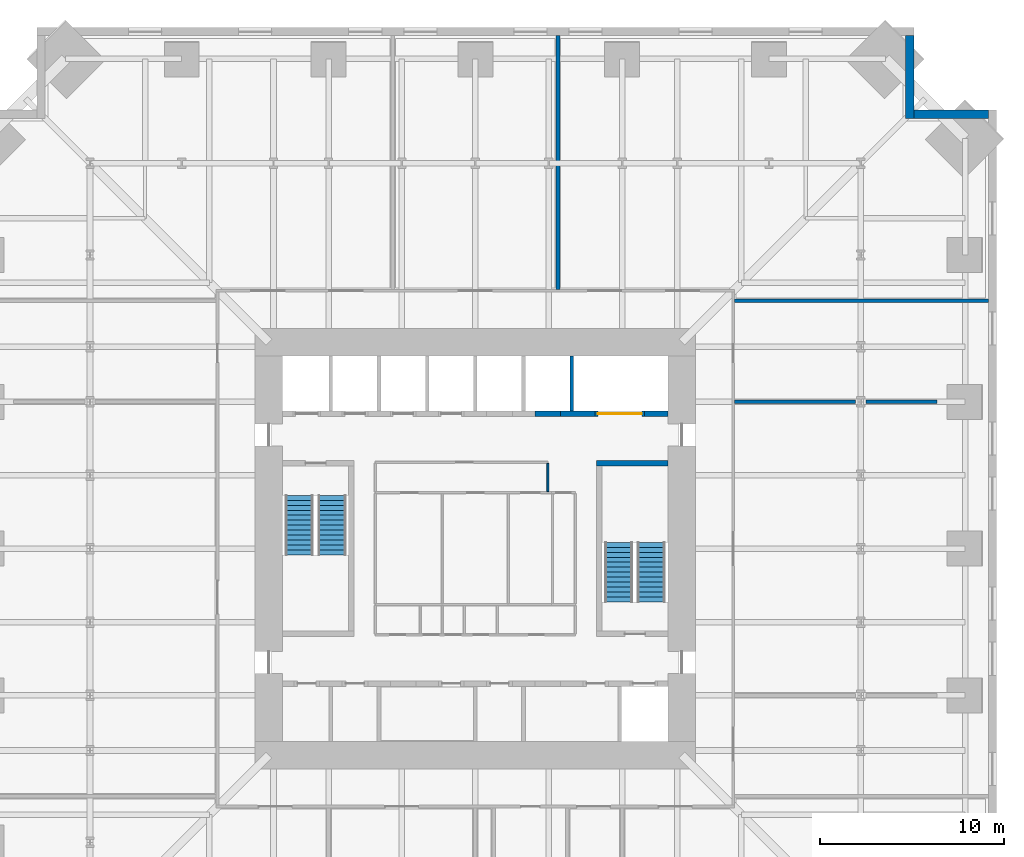
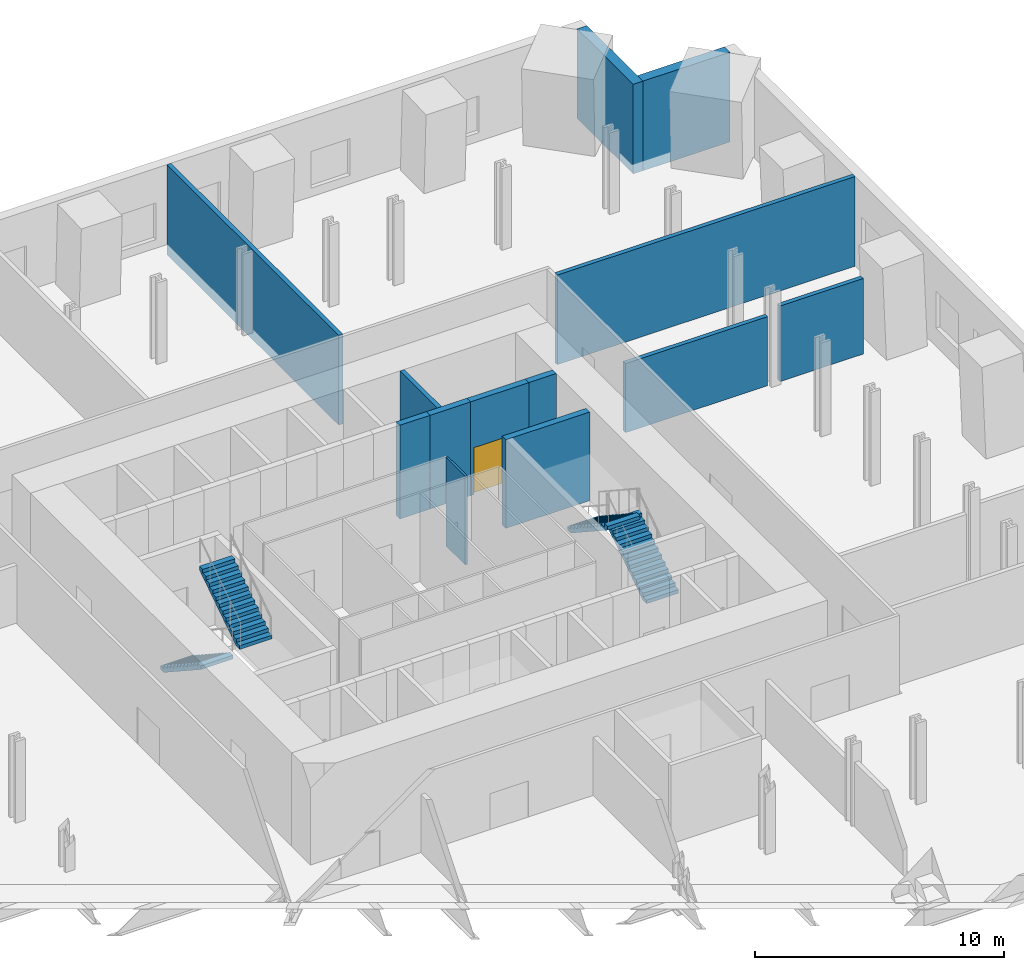
# One storey, part 7 of 8: 13 walls, 4 stair flights, 1 door, 1 opening, 2 elements without a shape of their own.
"""IFC4 building model written with IfcOpenShell, lengths in metres."""

from ifc_helpers import new_model, si_unit, direction, frame, frame_2d, origin, place, context, subcontext, project, spatial, polyline, rectangle, outline, extrude, material, layer, layer_set, type_object, element, fill, aggregate, save


model = new_model("IFC4")

# Units and contexts
model_context = context("Model", 3, precision=1e-05, world=origin(), true_north=direction((0.0, 1.0)))
body_context = subcontext(model_context, "Body", "Model", "MODEL_VIEW")
ifc_project = project(units=[si_unit("LENGTHUNIT", "METRE"), si_unit("AREAUNIT", "SQUARE_METRE"), si_unit("VOLUMEUNIT", "CUBIC_METRE"), si_unit("PLANEANGLEUNIT", "RADIAN"), si_unit("MASSUNIT", "GRAM", prefix="KILO")], contexts=[model_context])

# Site, building, storey
site_placement = place(None, origin())
site = spatial("IfcSite", under=ifc_project, at=site_placement, CompositionType="ELEMENT")
building_placement = place(site_placement, origin())
building = spatial("IfcBuilding", under=site, at=building_placement, Name="Peilmerk Tower", CompositionType="ELEMENT")
storey_placement = place(building_placement, frame((0.0, 0.0, 104.39990234375)))
storey = spatial("IfcBuildingStorey", under=building, at=storey_placement, Name="L20", CompositionType="ELEMENT", Elevation=104.39990234375)

# Walls
ifc_material_1 = material(Name="Precast concrete C45/55, board-marked finish", Category="concrete")
ifc_layer_1 = layer(ifc_material_1, 0.449951171875)
ifc_layer_set_1 = layer_set([ifc_layer_1], Name="Precast concrete C45/55, board-marked finish")
wall_type_1 = type_object("IfcWallType", Name="EW1 450 precast concrete facade wall, board-marked", PredefinedType="SOLIDWALL", material=ifc_layer_set_1)
wall_1_placement = place(storey_placement, frame((23.675048828125, 23.449951171875, 0.0), z_axis=(0.0, 0.0, 1.0), x_axis=(0.0, 1.0, 0.0)))
element("IfcWall", 1, at=wall_1_placement, inside=storey, type_object=wall_type_1, Name="Facade wall NEA L20", PredefinedType="SOLIDWALL", context=body_context, shape_type="SweptSolid", body=[
    extrude(rectangle(XDim=4.5, YDim=0.449951171875, at=frame_2d((2.25, 0.0))), origin(), (0.0, 0.0, 1.0), 4.400146484375),
])
wall_2_placement = place(storey_placement, frame((23.89990234375, 23.675048828125, 0.0), z_axis=(0.0, 0.0, 1.0), x_axis=(1.0, 0.0, 0.0)))
element("IfcWall", 2, at=wall_2_placement, inside=storey, type_object=wall_type_1, Name="Facade wall NEB L20", PredefinedType="SOLIDWALL", context=body_context, shape_type="SweptSolid", body=[
    extrude(rectangle(XDim=4.050048828125, YDim=0.449951171875, at=frame_2d((2.02490234375, 0.0))), origin(), (0.0, 0.0, 1.0), 4.400146484375),
])
ifc_material_2 = material(Name="Calcium silicate block", Category="masonry")
ifc_layer_2 = layer(ifc_material_2, 0.199951171875)
ifc_layer_set_2 = layer_set([ifc_layer_2], Name="Calcium silicate block")
wall_type_2 = type_object("IfcWallType", Name="IW2 200 room separating wall, EI 120", PredefinedType="PARTITIONING", material=ifc_layer_set_2)
for number, where, z_axis, x_axis, name in (
    (3, (14.125, 13.5, 0.0), (0.0, 0.0, 1.0), (1.0, 0.0, 0.0), "Room separating wall NE L20"),
    (4, (4.5, 14.125, 0.0), (0.0, 0.0, 1.0), (0.0, 1.0, 0.0), "Room separating wall N2 L20"),
):
    element("IfcWall", number, at=place(storey_placement, frame(where, z_axis=z_axis, x_axis=x_axis)), inside=storey, type_object=wall_type_2, Name=name, PredefinedType="PARTITIONING", context=body_context, shape_type="SweptSolid", body=[
        extrude(rectangle(XDim=13.824951171875, YDim=0.199951171875, at=frame_2d((6.91259765625, 0.0))), origin(), (0.0, 0.0, 1.0), 4.400146484375),
    ])
wall_3_placement = place(storey_placement, frame((14.125, 8.0, 0.0), z_axis=(0.0, 0.0, 1.0), x_axis=(1.0, 0.0, 0.0)))
element("IfcWall", 5, at=wall_3_placement, inside=storey, type_object=wall_type_2, Name="Room separating wall E2 L20", PredefinedType="PARTITIONING", context=body_context, shape_type="SweptSolid", body=[
    extrude(rectangle(XDim=6.590576171875, YDim=0.199951171875, at=frame_2d((3.29541015625, 0.0))), origin(), (0.0, 0.0, 1.0), 3.39208984375),
])
wall_4_placement = place(storey_placement, frame((21.284423828125, 8.0, 0.0), z_axis=(0.0, 0.0, 1.0), x_axis=(1.0, 0.0, 0.0)))
element("IfcWall", 6, at=wall_4_placement, inside=storey, type_object=wall_type_2, Name="Room separating wall E2b L20", PredefinedType="PARTITIONING", context=body_context, shape_type="SweptSolid", body=[
    extrude(rectangle(XDim=3.873779296875, YDim=0.199951171875, at=frame_2d((1.93701171875, 0.0))), origin(), (0.0, 0.0, 1.0), 3.710205078125),
])
ifc_material_3 = material(Name="Concrete C35/45", Category="concrete")
ifc_layer_3 = layer(ifc_material_3, 0.300048828125)
ifc_layer_set_3 = layer_set([ifc_layer_3], Name="Concrete C35/45")
wall_type_3 = type_object("IfcWallType", Name="IW3 300 concrete stair enclosure wall, EI 120", PredefinedType="SOLIDWALL", material=ifc_layer_set_3)
wall_5_placement = place(storey_placement, frame((6.60009765625, 4.64990234375, 0.0), z_axis=(0.0, 0.0, 1.0), x_axis=(1.0, 0.0, 0.0)))
element("IfcWall", 7, at=wall_5_placement, inside=storey, type_object=wall_type_3, Name="Stair 2 enclosure L20", PredefinedType="SOLIDWALL", context=body_context, shape_type="SweptSolid", body=[
    extrude(rectangle(XDim=3.89990234375, YDim=0.300048828125, at=frame_2d((1.949951171875, 0.0))), origin(), (0.0, 0.0, 1.0), 4.35009765625),
])
ifc_material_4 = material(Name="Fire-resisting plasterboard on steel studs", Category="steel")
ifc_layer_4 = layer(ifc_material_4, 0.10009765625)
ifc_layer_set_4 = layer_set([ifc_layer_4], Name="Fire-resisting plasterboard on steel studs")
wall_type_4 = type_object("IfcWallType", Name="IW9 100 WC lobby wall, EI 30", PredefinedType="PARTITIONING", material=ifc_layer_set_4)
wall_6_placement = place(storey_placement, frame((3.949951171875, 3.10009765625, 0.0), z_axis=(0.0, 0.0, 1.0), x_axis=(0.0, 1.0, 0.0)))
element("IfcWall", 8, at=wall_6_placement, inside=storey, type_object=wall_type_4, Name="WC lobby wall L20", PredefinedType="PARTITIONING", context=body_context, shape_type="SweptSolid", body=[
    extrude(rectangle(XDim=1.5498046875, YDim=0.10009765625, at=frame_2d((0.77490234375, 0.0))), origin(), (0.0, 0.0, 1.0), 4.35009765625),
])
ifc_layer_5 = layer(ifc_material_2, 0.199951171875)
ifc_layer_set_5 = layer_set([ifc_layer_5], Name="Calcium silicate block")
wall_type_5 = type_object("IfcWallType", Name="SH1 200 shaft dividing wall, EI 120", PredefinedType="PARTITIONING", material=ifc_layer_set_5)
wall_7_placement = place(storey_placement, frame((5.25, 7.5, 0.0), z_axis=(0.0, 0.0, 1.0), x_axis=(0.0, 1.0, 0.0)))
element("IfcWall", 9, at=wall_7_placement, inside=storey, type_object=wall_type_5, Name="Shaft wall N S2 L20", PredefinedType="PARTITIONING", context=body_context, shape_type="SweptSolid", body=[
    extrude(rectangle(XDim=3.0, YDim=0.199951171875, at=frame_2d((1.5, 0.0))), origin(), (0.0, 0.0, 1.0), 4.60009765625),
])
ifc_layer_6 = layer(ifc_material_2, 0.300048828125)
ifc_layer_set_6 = layer_set([ifc_layer_6], Name="Calcium silicate block")
wall_type_6 = type_object("IfcWallType", Name="SH2 300 lift landing door panel, EI 120", PredefinedType="PARTITIONING", material=ifc_layer_set_6)
wall_8_placement = place(storey_placement, frame((3.237548828125, 7.35009765625, 0.0), z_axis=(0.0, 0.0, 1.0), x_axis=(1.0, 0.0, 0.0)))
element("IfcWall", 10, at=wall_8_placement, inside=storey, type_object=wall_type_6, Name="Lift door panel N S2 L20", PredefinedType="PARTITIONING", context=body_context, shape_type="SweptSolid", body=[
    extrude(rectangle(XDim=1.39990234375, YDim=0.300048828125, at=frame_2d((0.699951171875, 0.0))), origin(), (0.0, 0.0, 1.0), 4.60009765625),
])

# Wall, opening, door
wall_9_placement = place(storey_placement, frame((6.52490234375, 7.35009765625, 0.0), z_axis=(0.0, 0.0, 1.0), x_axis=(1.0, 0.0, 0.0)))
wall_9 = element("IfcWall", 11, at=wall_9_placement, inside=storey, type_object=wall_type_6, Name="Lift door panel N GL1 L20", PredefinedType="PARTITIONING", context=body_context, shape_type="SweptSolid", body=[
    extrude(rectangle(XDim=2.7001953125, YDim=0.300048828125, at=frame_2d((1.35009765625, 0.0))), origin(), (0.0, 0.0, 1.0), 4.60009765625),
])
opening_placement = place(wall_9_placement, frame((0.14990234375, 0.0, 0.0)))
opening = element("IfcOpeningElement", 12, at=opening_placement, cuts=wall_9, Name="Opening LD3", PredefinedType="OPENING", context=body_context, shape_type="SweptSolid", body=[
    extrude(rectangle(XDim=2.39990234375, YDim=2.300048828125, at=frame_2d((1.199951171875, 1.14990234375))), frame((0.0, 0.159912109375, 0.0), z_axis=(0.0, -1.0, 0.0), x_axis=(1.0, 0.0, 0.0)), (0.0, 0.0, 1.0), 0.320068359375),
])
ifc_material_5 = material(Name="Stainless steel landing door", Category="steel")
door_type = type_object("IfcDoorType", Name="LD3 2400x2300 lift landing door, sliding, EI2 60", OperationType="SLIDING_TO_LEFT", PredefinedType="DOOR", material=ifc_material_5)
door_placement = place(opening_placement, frame((2.39990234375, 0.0, 0.0), z_axis=(0.0, 0.0, 1.0), x_axis=(-1.0, 0.0, 0.0)))
door = element("IfcDoor", 13, at=door_placement, inside=storey, type_object=door_type, Name="Lift landing door GL1 L20", OperationType="SLIDING_TO_LEFT", OverallHeight=2.300048828125, OverallWidth=2.39990234375, PredefinedType="DOOR", context=body_context, shape_type="SweptSolid", body=[
    extrude(rectangle(XDim=2.39990234375, YDim=2.300048828125, at=frame_2d((1.199951171875, 1.14990234375))), frame((0.0, 0.02490234375, 0.0), z_axis=(0.0, -1.0, 0.0), x_axis=(1.0, 0.0, 0.0)), (0.0, 0.0, 1.0), 0.050048828125),
])
fill(opening, door)

# Walls
ifc_material_6 = material(Name="Concrete C55/67", Category="concrete")
ifc_layer_7 = layer(ifc_material_6, 0.300048828125)
ifc_layer_set_7 = layer_set([ifc_layer_7], Name="Concrete C55/67")
wall_type_7 = type_object("IfcWallType", Name="SW2 300 lift bank pier", PredefinedType="SHEAR", material=ifc_layer_set_7)
wall_10_placement = place(storey_placement, frame((4.637451171875, 7.35009765625, 0.0), z_axis=(0.0, 0.0, 1.0), x_axis=(1.0, 0.0, 0.0)))
element("IfcWall", 14, at=wall_10_placement, inside=storey, type_object=wall_type_7, Name="Lift bank pier N L20", PredefinedType="SHEAR", context=body_context, shape_type="SweptSolid", body=[
    extrude(rectangle(XDim=1.887451171875, YDim=0.300048828125, at=frame_2d((0.94384765625, 0.0))), origin(), (0.0, 0.0, 1.0), 4.60009765625),
])
wall_11_placement = place(storey_placement, frame((9.22509765625, 7.35009765625, 0.0), z_axis=(0.0, 0.0, 1.0), x_axis=(1.0, 0.0, 0.0)))
element("IfcWall", 15, at=wall_11_placement, inside=storey, type_object=wall_type_7, Name="Lift bank pier N L20", PredefinedType="SHEAR", context=body_context, shape_type="SweptSolid", body=[
    extrude(rectangle(XDim=1.27490234375, YDim=0.300048828125, at=frame_2d((0.637451171875, 0.0))), origin(), (0.0, 0.0, 1.0), 4.60009765625),
])

# Stair, stair flights
ifc_material_7 = material(Name="Precast concrete C45/55", Category="concrete")
stair_type_1 = type_object("IfcStairType", Name="ST1 26 risers of 176.9", PredefinedType="HALF_TURN_STAIR", material=ifc_material_7)
stair_1_placement = place(storey_placement, origin())
stair_1 = element("IfcStair", 16, at=stair_1_placement, inside=storey, type_object=stair_type_1, Name="Stair 1 L20 to L21", PredefinedType="HALF_TURN_STAIR")
stair_flight_type = type_object("IfcStairFlightType", Name="SF13 flight, 13 risers of 176.9", PredefinedType="STRAIGHT", material=ifc_material_7)
stair_flight_1_placement = place(storey_placement, frame((-9.60009765625, 2.89990234375, 0.0), z_axis=(0.0, 0.0, 1.0), x_axis=(0.0, -1.0, 0.0)))
stair_flight_1 = element("IfcStairFlight", 17, at=stair_flight_1_placement, type_object=stair_flight_type, Name="ST1 flight 1", NumberOfRisers=13, NumberOfTreads=12, PredefinedType="STRAIGHT", RiserHeight=0.176923077, TreadLength=0.27, context=body_context, shape_type="SweptSolid", body=[
    extrude(outline(polyline([(0.0, 0.0), (0.0, 0.177001953125), (0.27001953125, 0.177001953125), (0.27001953125, 0.353759765625), (0.5400390625, 0.353759765625), (0.5400390625, 0.53076171875), (0.81005859375, 0.53076171875), (0.81005859375, 0.707763671875), (1.080078125, 0.707763671875), (1.080078125, 0.884521484375), (1.35009765625, 0.884521484375), (1.35009765625, 1.0615234375), (1.6201171875, 1.0615234375), (1.6201171875, 1.238525390625), (1.889892578125, 1.238525390625), (1.889892578125, 1.415283203125), (2.159912109375, 1.415283203125), (2.159912109375, 1.59228515625), (2.429931640625, 1.59228515625), (2.429931640625, 1.769287109375), (2.699951171875, 1.769287109375), (2.699951171875, 1.946044921875), (2.969970703125, 1.946044921875), (2.969970703125, 2.123046875), (3.239990234375, 2.123046875), (3.239990234375, 2.300048828125), (3.239990234375, 1.94384765625), (0.2734375, 0.0), (0.0, 0.0)])), frame((0.0, 0.75, 0.0), z_axis=(0.0, -1.0, 0.0), x_axis=(1.0, 0.0, 0.0)), (0.0, 0.0, 1.0), 1.5),
])
stair_flight_2_placement = place(storey_placement, frame((-7.800048828125, -0.340087890625, 2.300048828125), z_axis=(0.0, 0.0, 1.0), x_axis=(0.0, 1.0, 0.0)))
stair_flight_2 = element("IfcStairFlight", 18, at=stair_flight_2_placement, type_object=stair_flight_type, Name="ST1 flight 2", NumberOfRisers=13, NumberOfTreads=12, PredefinedType="STRAIGHT", RiserHeight=0.176923077, TreadLength=0.27, context=body_context, shape_type="SweptSolid", body=[
    extrude(outline(polyline([(0.0, 0.0), (0.0, 0.177001953125), (0.27001953125, 0.177001953125), (0.27001953125, 0.353759765625), (0.5400390625, 0.353759765625), (0.5400390625, 0.53076171875), (0.81005859375, 0.53076171875), (0.81005859375, 0.707763671875), (1.080078125, 0.707763671875), (1.080078125, 0.884521484375), (1.35009765625, 0.884521484375), (1.35009765625, 1.0615234375), (1.6201171875, 1.0615234375), (1.6201171875, 1.238525390625), (1.889892578125, 1.238525390625), (1.889892578125, 1.415283203125), (2.159912109375, 1.415283203125), (2.159912109375, 1.59228515625), (2.429931640625, 1.59228515625), (2.429931640625, 1.769287109375), (2.699951171875, 1.769287109375), (2.699951171875, 1.946044921875), (2.969970703125, 1.946044921875), (2.969970703125, 2.123046875), (3.239990234375, 2.123046875), (3.239990234375, 2.300048828125), (3.239990234375, 1.94384765625), (0.2734375, 0.0), (0.0, 0.0)])), frame((0.0, 0.75, 0.0), z_axis=(0.0, -1.0, 0.0), x_axis=(1.0, 0.0, 0.0)), (0.0, 0.0, 1.0), 1.5),
])
aggregate(stair_1, [stair_flight_1, stair_flight_2])

stair_type_2 = type_object("IfcStairType", Name="ST2 26 risers of 176.9", PredefinedType="HALF_TURN_STAIR", material=ifc_material_7)
stair_2_placement = place(storey_placement, origin())
stair_2 = element("IfcStair", 19, at=stair_2_placement, inside=storey, type_object=stair_type_2, Name="Stair 2 L20 to L21", PredefinedType="HALF_TURN_STAIR")
stair_flight_3_placement = place(storey_placement, frame((9.60009765625, -2.89990234375, 0.0), z_axis=(0.0, 0.0, 1.0), x_axis=(0.0, 1.0, 0.0)))
stair_flight_3 = element("IfcStairFlight", 20, at=stair_flight_3_placement, type_object=stair_flight_type, Name="ST2 flight 1", NumberOfRisers=13, NumberOfTreads=12, PredefinedType="STRAIGHT", RiserHeight=0.176923077, TreadLength=0.27, context=body_context, shape_type="SweptSolid", body=[
    extrude(outline(polyline([(0.0, 0.0), (0.0, 0.177001953125), (0.27001953125, 0.177001953125), (0.27001953125, 0.353759765625), (0.5400390625, 0.353759765625), (0.5400390625, 0.53076171875), (0.81005859375, 0.53076171875), (0.81005859375, 0.707763671875), (1.080078125, 0.707763671875), (1.080078125, 0.884521484375), (1.35009765625, 0.884521484375), (1.35009765625, 1.0615234375), (1.6201171875, 1.0615234375), (1.6201171875, 1.238525390625), (1.889892578125, 1.238525390625), (1.889892578125, 1.415283203125), (2.159912109375, 1.415283203125), (2.159912109375, 1.59228515625), (2.429931640625, 1.59228515625), (2.429931640625, 1.769287109375), (2.699951171875, 1.769287109375), (2.699951171875, 1.946044921875), (2.969970703125, 1.946044921875), (2.969970703125, 2.123046875), (3.239990234375, 2.123046875), (3.239990234375, 2.300048828125), (3.239990234375, 1.94384765625), (0.2734375, 0.0), (0.0, 0.0)])), frame((0.0, 0.75, 0.0), z_axis=(0.0, -1.0, 0.0), x_axis=(1.0, 0.0, 0.0)), (0.0, 0.0, 1.0), 1.5),
])
stair_flight_4_placement = place(storey_placement, frame((7.800048828125, 0.340087890625, 2.300048828125), z_axis=(0.0, 0.0, 1.0), x_axis=(0.0, -1.0, 0.0)))
stair_flight_4 = element("IfcStairFlight", 21, at=stair_flight_4_placement, type_object=stair_flight_type, Name="ST2 flight 2", NumberOfRisers=13, NumberOfTreads=12, PredefinedType="STRAIGHT", RiserHeight=0.176923077, TreadLength=0.27, context=body_context, shape_type="SweptSolid", body=[
    extrude(outline(polyline([(0.0, 0.0), (0.0, 0.177001953125), (0.27001953125, 0.177001953125), (0.27001953125, 0.353759765625), (0.5400390625, 0.353759765625), (0.5400390625, 0.53076171875), (0.81005859375, 0.53076171875), (0.81005859375, 0.707763671875), (1.080078125, 0.707763671875), (1.080078125, 0.884521484375), (1.35009765625, 0.884521484375), (1.35009765625, 1.0615234375), (1.6201171875, 1.0615234375), (1.6201171875, 1.238525390625), (1.889892578125, 1.238525390625), (1.889892578125, 1.415283203125), (2.159912109375, 1.415283203125), (2.159912109375, 1.59228515625), (2.429931640625, 1.59228515625), (2.429931640625, 1.769287109375), (2.699951171875, 1.769287109375), (2.699951171875, 1.946044921875), (2.969970703125, 1.946044921875), (2.969970703125, 2.123046875), (3.239990234375, 2.123046875), (3.239990234375, 2.300048828125), (3.239990234375, 1.94384765625), (0.2734375, 0.0), (0.0, 0.0)])), frame((0.0, 0.75, 0.0), z_axis=(0.0, -1.0, 0.0), x_axis=(1.0, 0.0, 0.0)), (0.0, 0.0, 1.0), 1.5),
])
aggregate(stair_2, [stair_flight_3, stair_flight_4])

save(model, "model.ifc")
